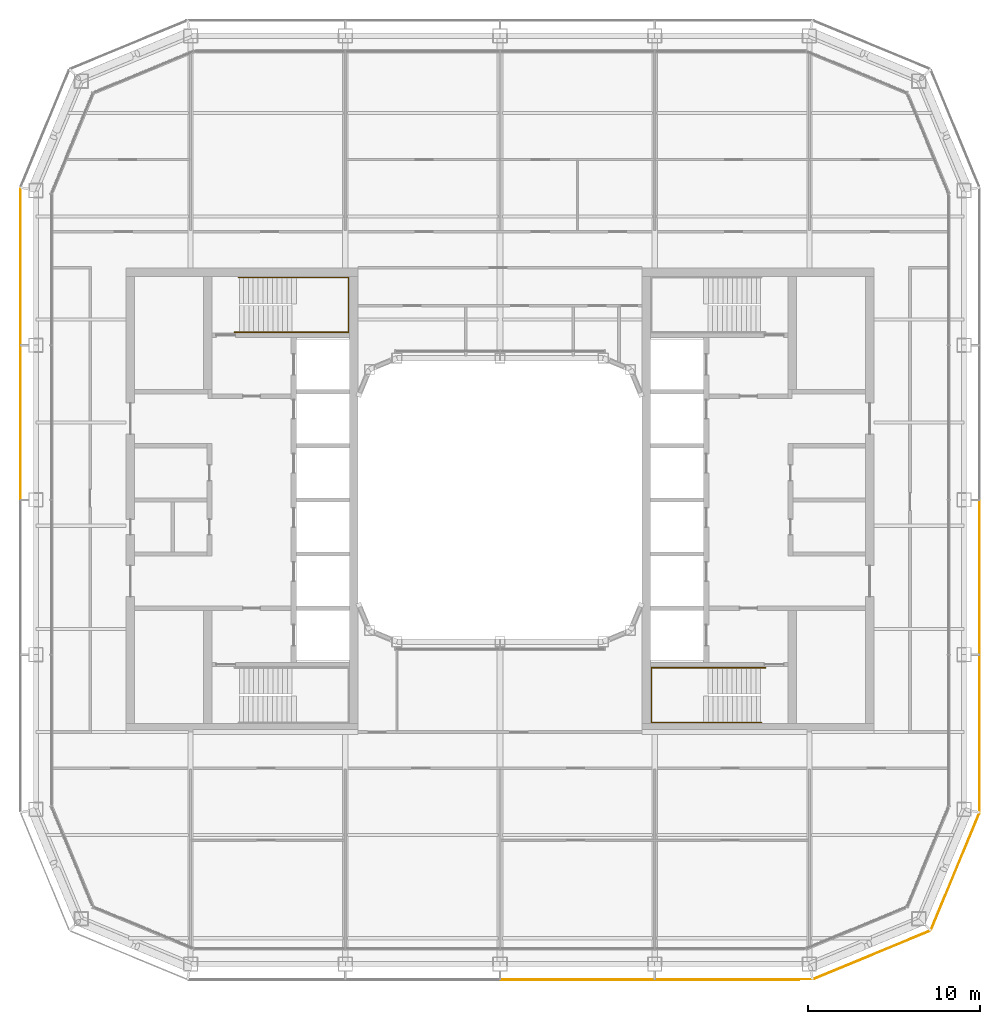
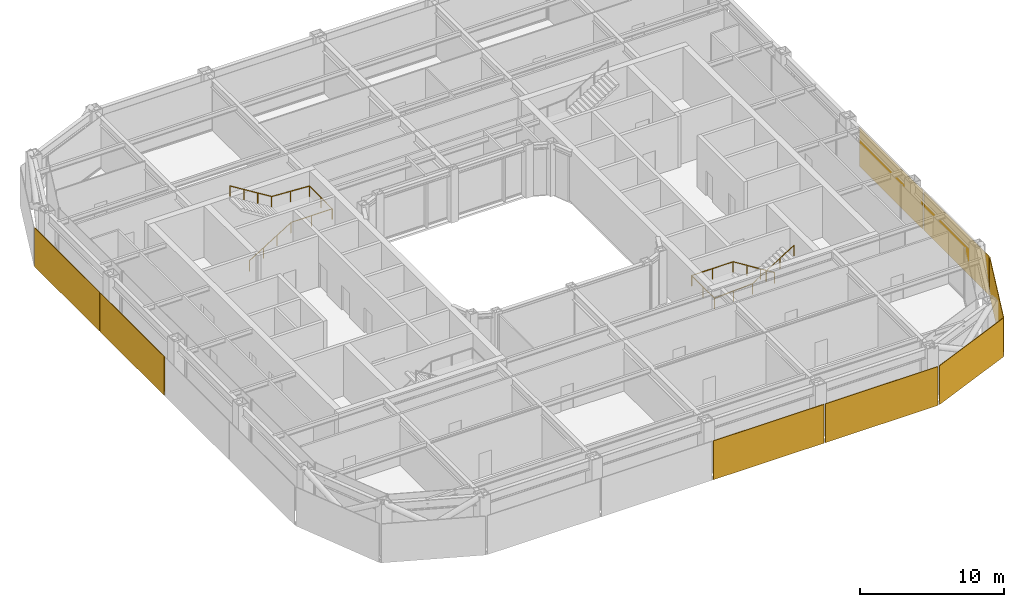
# One storey, part 17 of 19: 8 coverings, 2 railings.
"""IFC4 building model written with IfcOpenShell, lengths in metres."""

from ifc_helpers import new_model, si_unit, direction, frame, origin, origin_2d, place, context, subcontext, project, spatial, rectangle, circle, extrude, material, layer, layer_set, type_object, element, save


model = new_model("IFC4")

# Units and contexts
model_context = context("Model", 3, precision=1e-05, world=origin(), true_north=direction((0.0, 1.0)))
body_context = subcontext(model_context, "Body", "Model", "MODEL_VIEW")
ifc_project = project(units=[si_unit("LENGTHUNIT", "METRE"), si_unit("AREAUNIT", "SQUARE_METRE"), si_unit("VOLUMEUNIT", "CUBIC_METRE"), si_unit("PLANEANGLEUNIT", "RADIAN"), si_unit("MASSUNIT", "GRAM", prefix="KILO")], contexts=[model_context])

# Site, building, storey
site_placement = place(None, origin())
site = spatial("IfcSite", under=ifc_project, at=site_placement, CompositionType="ELEMENT")
building_placement = place(site_placement, origin())
building = spatial("IfcBuilding", under=site, at=building_placement, Name="Siwar Civic Tower", CompositionType="ELEMENT")
storey_placement = place(building_placement, frame((0.0, 0.0, 192.699951171875)))
storey = spatial("IfcBuildingStorey", under=building, at=storey_placement, Name="L41", CompositionType="ELEMENT", Elevation=192.699951171875)

# Railings
ifc_material_1 = material(Name="Stainless steel", Category="steel")
railing_type = type_object("IfcRailingType", Name="CORE-STAIR-HANDRAIL", PredefinedType="HANDRAIL", material=ifc_material_1)
railing_1_placement = place(storey_placement, frame((-15.449951171875, 9.758056640625, 0.173095703125)))
element("IfcRailing", 1, at=railing_1_placement, inside=storey, type_object=railing_type, Name="Stair handrail ST1", PredefinedType="HANDRAIL", context=body_context, shape_type="SweptSolid", body=[
    extrude(circle(Radius=0.02001953125, at=origin_2d()), frame((0.0, 0.0, 0.8798828125), z_axis=(0.847063342986, 0.0, 0.531491950051), x_axis=(0.0, 1.0, 0.0)), (0.0, 0.0, 1.0), 3.90771484375),
    extrude(circle(Radius=0.02001953125, at=origin_2d()), frame((3.31005859375, 0.0, 2.956787109375), z_axis=(1.0, 0.0, 0.0), x_axis=(0.0, 1.0, 0.0)), (0.0, 0.0, 1.0), 3.331787109375),
    extrude(circle(Radius=0.02001953125, at=origin_2d()), frame((6.641845703125, 0.0, 2.956787109375), z_axis=(0.0, 1.0, 0.0), x_axis=(-1.0, 0.0, 0.0)), (0.0, 0.0, 1.0), 3.183837890625),
    extrude(circle(Radius=0.02001953125, at=origin_2d()), frame((6.641845703125, 3.183837890625, 2.956787109375), z_axis=(-0.99837434197, 0.0, 0.056997134106), x_axis=(0.0, -1.0, 0.0)), (0.0, 0.0, 1.0), 3.036865234375),
    extrude(circle(Radius=0.02001953125, at=origin_2d()), frame((3.60986328125, 3.183837890625, 3.1298828125), z_axis=(-0.850606129759, 0.0, 0.525803396734), x_axis=(0.0, -1.0, 0.0)), (0.0, 0.0, 1.0), 3.949951171875),
    extrude(circle(Radius=0.02001953125, at=origin_2d()), origin(), (0.0, 0.0, 1.0), 0.85986328125),
    extrude(circle(Radius=0.02001953125, at=origin_2d()), frame((1.103271484375, 0.0, 0.6923828125)), (0.0, 0.0, 1.0), 0.85986328125),
    extrude(circle(Radius=0.02001953125, at=origin_2d()), frame((2.206787109375, 0.0, 1.384521484375)), (0.0, 0.0, 1.0), 0.85986328125),
    extrude(circle(Radius=0.02001953125, at=origin_2d()), frame((3.31005859375, 0.0, 2.076904296875)), (0.0, 0.0, 1.0), 0.85986328125),
    extrude(circle(Radius=0.02001953125, at=origin_2d()), frame((4.97607421875, 0.0, 2.076904296875)), (0.0, 0.0, 1.0), 0.85986328125),
    extrude(circle(Radius=0.02001953125, at=origin_2d()), frame((6.641845703125, 0.0, 2.076904296875)), (0.0, 0.0, 1.0), 0.85986328125),
    extrude(circle(Radius=0.02001953125, at=origin_2d()), frame((6.641845703125, 1.591796875, 2.076904296875)), (0.0, 0.0, 1.0), 0.85986328125),
    extrude(circle(Radius=0.02001953125, at=origin_2d()), frame((6.641845703125, 3.183837890625, 2.076904296875)), (0.0, 0.0, 1.0), 0.85986328125),
    extrude(circle(Radius=0.02001953125, at=origin_2d()), frame((5.1259765625, 3.183837890625, 2.16357421875)), (0.0, 0.0, 1.0), 0.85986328125),
    extrude(circle(Radius=0.02001953125, at=origin_2d()), frame((3.60986328125, 3.183837890625, 2.25)), (0.0, 0.0, 1.0), 0.85986328125),
    extrude(circle(Radius=0.02001953125, at=origin_2d()), frame((2.489990234375, 3.183837890625, 2.9423828125)), (0.0, 0.0, 1.0), 0.85986328125),
    extrude(circle(Radius=0.02001953125, at=origin_2d()), frame((1.369873046875, 3.183837890625, 3.634521484375)), (0.0, 0.0, 1.0), 0.85986328125),
    extrude(circle(Radius=0.02001953125, at=origin_2d()), frame((0.25, 3.183837890625, 4.326904296875)), (0.0, 0.0, 1.0), 0.85986328125),
])
railing_2_placement = place(storey_placement, frame((15.449951171875, -9.758056640625, 0.173095703125)))
element("IfcRailing", 2, at=railing_2_placement, inside=storey, type_object=railing_type, Name="Stair handrail ST4", PredefinedType="HANDRAIL", context=body_context, shape_type="SweptSolid", body=[
    extrude(circle(Radius=0.02001953125, at=origin_2d()), frame((0.0, 0.0, 0.8798828125), z_axis=(-0.847063342986, 0.0, 0.531491950051), x_axis=(0.0, -1.0, 0.0)), (0.0, 0.0, 1.0), 3.90771484375),
    extrude(circle(Radius=0.02001953125, at=origin_2d()), frame((-3.31005859375, 0.0, 2.956787109375), z_axis=(-1.0, 0.0, 0.0), x_axis=(0.0, -1.0, 0.0)), (0.0, 0.0, 1.0), 3.331787109375),
    extrude(circle(Radius=0.02001953125, at=origin_2d()), frame((-6.641845703125, 0.0, 2.956787109375), z_axis=(0.0, -1.0, 0.0), x_axis=(1.0, 0.0, 0.0)), (0.0, 0.0, 1.0), 3.183837890625),
    extrude(circle(Radius=0.02001953125, at=origin_2d()), frame((-6.641845703125, -3.183837890625, 2.956787109375), z_axis=(0.99837434197, 0.0, 0.056997134106), x_axis=(0.0, 1.0, 0.0)), (0.0, 0.0, 1.0), 3.036865234375),
    extrude(circle(Radius=0.02001953125, at=origin_2d()), frame((-3.60986328125, -3.183837890625, 3.1298828125), z_axis=(0.850606129759, 0.0, 0.525803396734), x_axis=(0.0, 1.0, 0.0)), (0.0, 0.0, 1.0), 3.949951171875),
    extrude(circle(Radius=0.02001953125, at=origin_2d()), origin(), (0.0, 0.0, 1.0), 0.85986328125),
    extrude(circle(Radius=0.02001953125, at=origin_2d()), frame((-1.103271484375, 0.0, 0.6923828125)), (0.0, 0.0, 1.0), 0.85986328125),
    extrude(circle(Radius=0.02001953125, at=origin_2d()), frame((-2.206787109375, 0.0, 1.384521484375)), (0.0, 0.0, 1.0), 0.85986328125),
    extrude(circle(Radius=0.02001953125, at=origin_2d()), frame((-3.31005859375, 0.0, 2.076904296875)), (0.0, 0.0, 1.0), 0.85986328125),
    extrude(circle(Radius=0.02001953125, at=origin_2d()), frame((-4.97607421875, 0.0, 2.076904296875)), (0.0, 0.0, 1.0), 0.85986328125),
    extrude(circle(Radius=0.02001953125, at=origin_2d()), frame((-6.641845703125, 0.0, 2.076904296875)), (0.0, 0.0, 1.0), 0.85986328125),
    extrude(circle(Radius=0.02001953125, at=origin_2d()), frame((-6.641845703125, -1.591796875, 2.076904296875)), (0.0, 0.0, 1.0), 0.85986328125),
    extrude(circle(Radius=0.02001953125, at=origin_2d()), frame((-6.641845703125, -3.183837890625, 2.076904296875)), (0.0, 0.0, 1.0), 0.85986328125),
    extrude(circle(Radius=0.02001953125, at=origin_2d()), frame((-5.1259765625, -3.183837890625, 2.16357421875)), (0.0, 0.0, 1.0), 0.85986328125),
    extrude(circle(Radius=0.02001953125, at=origin_2d()), frame((-3.60986328125, -3.183837890625, 2.25)), (0.0, 0.0, 1.0), 0.85986328125),
    extrude(circle(Radius=0.02001953125, at=origin_2d()), frame((-2.489990234375, -3.183837890625, 2.9423828125)), (0.0, 0.0, 1.0), 0.85986328125),
    extrude(circle(Radius=0.02001953125, at=origin_2d()), frame((-1.369873046875, -3.183837890625, 3.634521484375)), (0.0, 0.0, 1.0), 0.85986328125),
    extrude(circle(Radius=0.02001953125, at=origin_2d()), frame((-0.25, -3.183837890625, 4.326904296875)), (0.0, 0.0, 1.0), 0.85986328125),
])

# Coverings
ifc_material_2 = material(Name="Perforated aluminium cassette, pale metal", Category="aluminium")
ifc_layer_1 = layer(ifc_material_2, 0.0400390625)
ifc_layer_set_1 = layer_set([ifc_layer_1], Name="Perforated aluminium cassette, pale metal")
covering_type_1 = type_object("IfcCoveringType", Name="ENV-OUTER SKIN OS-1", PredefinedType="CLADDING", material=ifc_layer_set_1)
covering_1_placement = place(storey_placement, frame((27.89990234375, -13.57958984375, -0.14990234375), z_axis=(0.0, 0.0, 1.0), x_axis=(0.0, 1.0, 0.0)))
element("IfcCovering", 3, at=covering_1_placement, inside=storey, type_object=covering_type_1, Name="OUTER SKIN OS-1 E 1", PredefinedType="CLADDING", context=body_context, shape_type="SweptSolid", body=[
    extrude(rectangle(XDim=9.05908203125, YDim=0.0400390625, at=origin_2d()), origin(), (0.0, 0.0, 1.0), 3.300048828125),
])
covering_2_placement = place(storey_placement, frame((27.89990234375, -4.5, -0.14990234375), z_axis=(0.0, 0.0, 1.0), x_axis=(0.0, 1.0, 0.0)))
element("IfcCovering", 4, at=covering_2_placement, inside=storey, type_object=covering_type_1, Name="OUTER SKIN OS-1 E 2", PredefinedType="CLADDING", context=body_context, shape_type="SweptSolid", body=[
    extrude(rectangle(XDim=8.89990234375, YDim=0.0400390625, at=origin_2d()), origin(), (0.0, 0.0, 1.0), 3.300048828125),
])
ifc_material_3 = material(Name="Perforated aluminium cassette, pale metal", Category="aluminium")
ifc_layer_2 = layer(ifc_material_3, 0.044921875)
ifc_layer_set_2 = layer_set([ifc_layer_2], Name="Perforated aluminium cassette, pale metal")
covering_type_2 = type_object("IfcCoveringType", Name="ENV-OUTER SKIN OS-2", PredefinedType="CLADDING", material=ifc_layer_set_2)
covering_3_placement = place(storey_placement, frame((26.476318359375, -21.615966796875, -0.14990234375), z_axis=(0.0, 0.0, 1.0), x_axis=(0.382683432365, 0.923879532511, 0.0)))
element("IfcCovering", 5, at=covering_3_placement, inside=storey, type_object=covering_type_2, Name="OUTER SKIN OS-2 SE2 1", PredefinedType="CLADDING", context=body_context, shape_type="SweptSolid", body=[
    extrude(rectangle(XDim=7.300048828125, YDim=0.044921875, at=origin_2d()), origin(), (0.0, 0.0, 1.0), 3.300048828125),
])
ifc_material_4 = material(Name="Perforated aluminium cassette, pale metal", Category="aluminium")
ifc_layer_3 = layer(ifc_material_4, 0.050048828125)
ifc_layer_set_3 = layer_set([ifc_layer_3], Name="Perforated aluminium cassette, pale metal")
covering_type_3 = type_object("IfcCoveringType", Name="ENV-OUTER SKIN OS-3", PredefinedType="CLADDING", material=ifc_layer_set_3)
covering_4_placement = place(storey_placement, frame((21.615966796875, -26.476318359375, -0.14990234375), z_axis=(0.0, 0.0, 1.0), x_axis=(0.923879532511, 0.382683432365, 0.0)))
element("IfcCovering", 6, at=covering_4_placement, inside=storey, type_object=covering_type_3, Name="OUTER SKIN OS-3 SE1 1", PredefinedType="CLADDING", context=body_context, shape_type="SweptSolid", body=[
    extrude(rectangle(XDim=7.300048828125, YDim=0.050048828125, at=origin_2d()), origin(), (0.0, 0.0, 1.0), 3.300048828125),
])
covering_5_placement = place(storey_placement, frame((-27.89990234375, 13.57958984375, -0.14990234375), z_axis=(0.0, 0.0, 1.0), x_axis=(0.0, -1.0, 0.0)))
element("IfcCovering", 7, at=covering_5_placement, inside=storey, type_object=covering_type_3, Name="OUTER SKIN OS-3 W 1", PredefinedType="CLADDING", context=body_context, shape_type="SweptSolid", body=[
    extrude(rectangle(XDim=9.05908203125, YDim=0.050048828125, at=origin_2d()), origin(), (0.0, 0.0, 1.0), 3.300048828125),
])
covering_6_placement = place(storey_placement, frame((-27.89990234375, 4.5, -0.14990234375), z_axis=(0.0, 0.0, 1.0), x_axis=(0.0, -1.0, 0.0)))
element("IfcCovering", 8, at=covering_6_placement, inside=storey, type_object=covering_type_3, Name="OUTER SKIN OS-3 W 2", PredefinedType="CLADDING", context=body_context, shape_type="SweptSolid", body=[
    extrude(rectangle(XDim=8.89990234375, YDim=0.050048828125, at=origin_2d()), origin(), (0.0, 0.0, 1.0), 3.300048828125),
])
ifc_material_5 = material(Name="Perforated aluminium cassette, pale metal", Category="aluminium")
ifc_layer_4 = layer(ifc_material_5, 0.054931640625)
ifc_layer_set_4 = layer_set([ifc_layer_4], Name="Perforated aluminium cassette, pale metal")
covering_type_4 = type_object("IfcCoveringType", Name="ENV-OUTER SKIN OS-4", PredefinedType="CLADDING", material=ifc_layer_set_4)
covering_7_placement = place(storey_placement, frame((4.5, -27.89990234375, -0.14990234375), z_axis=(0.0, 0.0, 1.0), x_axis=(1.0, 0.0, 0.0)))
element("IfcCovering", 9, at=covering_7_placement, inside=storey, type_object=covering_type_4, Name="OUTER SKIN OS-4 S 3", PredefinedType="CLADDING", context=body_context, shape_type="SweptSolid", body=[
    extrude(rectangle(XDim=8.89990234375, YDim=0.054931640625, at=origin_2d()), origin(), (0.0, 0.0, 1.0), 3.300048828125),
])
covering_8_placement = place(storey_placement, frame((13.57958984375, -27.89990234375, -0.14990234375), z_axis=(0.0, 0.0, 1.0), x_axis=(1.0, 0.0, 0.0)))
element("IfcCovering", 10, at=covering_8_placement, inside=storey, type_object=covering_type_4, Name="OUTER SKIN OS-4 S 4", PredefinedType="CLADDING", context=body_context, shape_type="SweptSolid", body=[
    extrude(rectangle(XDim=9.05908203125, YDim=0.054931640625, at=origin_2d()), origin(), (0.0, 0.0, 1.0), 3.300048828125),
])

save(model, "model.ifc")
